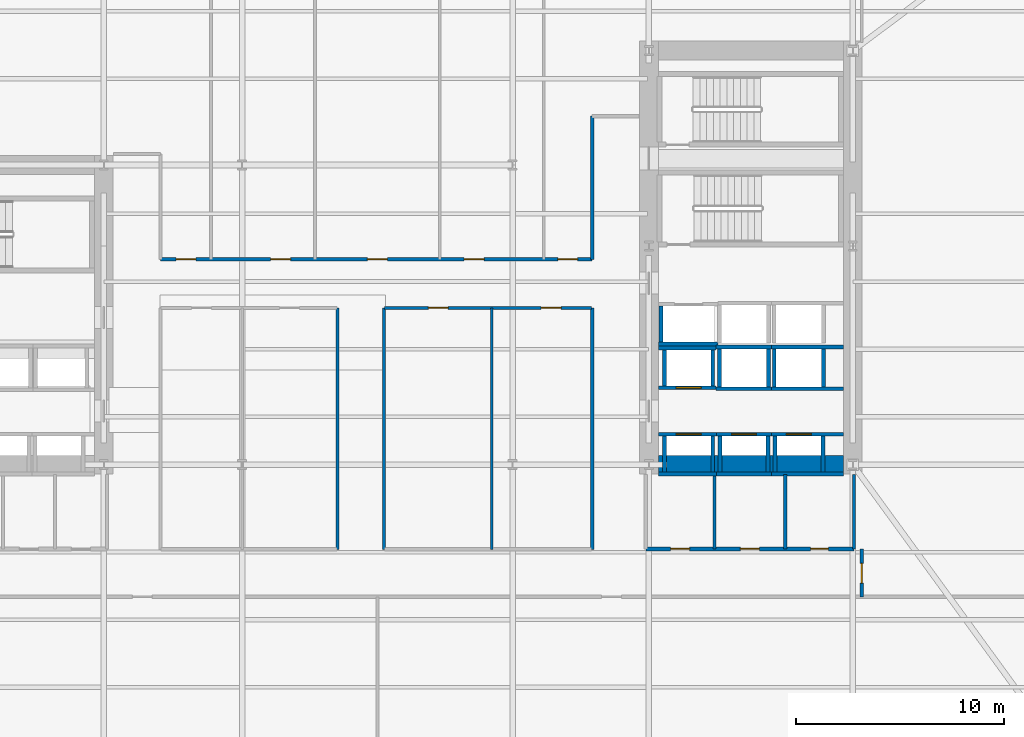
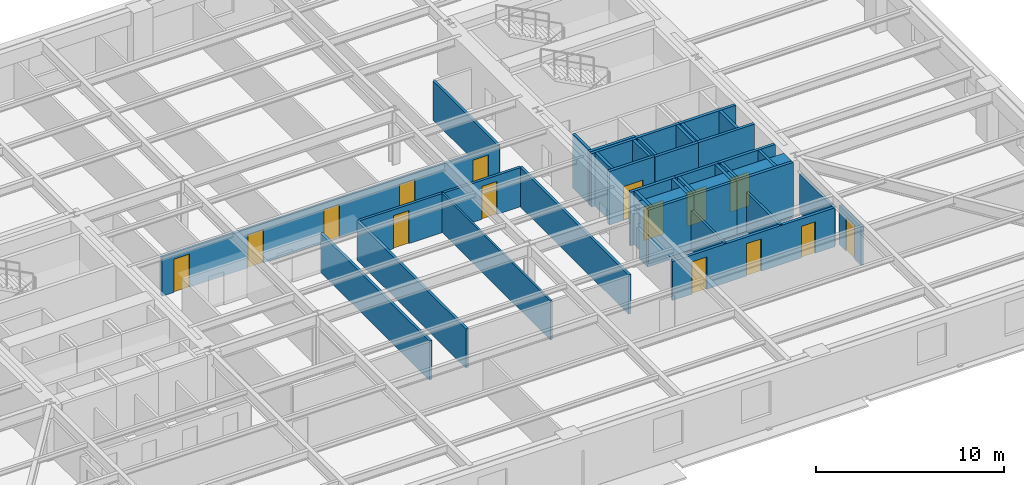
# One storey, part 6 of 14: 39 walls, 15 doors, 15 openings.
"""IFC4 building model written with IfcOpenShell, lengths in metres."""

from ifc_helpers import new_model, si_unit, direction, frame, frame_2d, origin, place, context, subcontext, project, spatial, rectangle, extrude, material, layer, layer_set, type_object, element, fill, save


model = new_model("IFC4")

# Units and contexts
model_context = context("Model", 3, precision=1e-05, world=origin(), true_north=direction((0.0, 1.0)))
body_context = subcontext(model_context, "Body", "Model", "MODEL_VIEW")
ifc_project = project(units=[si_unit("LENGTHUNIT", "METRE"), si_unit("AREAUNIT", "SQUARE_METRE"), si_unit("VOLUMEUNIT", "CUBIC_METRE"), si_unit("PLANEANGLEUNIT", "RADIAN"), si_unit("MASSUNIT", "GRAM", prefix="KILO")], contexts=[model_context])

# Site, building, storey
site_placement = place(None, origin())
site = spatial("IfcSite", under=ifc_project, at=site_placement, CompositionType="ELEMENT")
building_placement = place(site_placement, origin())
building = spatial("IfcBuilding", under=site, at=building_placement, Name="Kolvaren Arena Tower", CompositionType="ELEMENT")
storey_placement = place(building_placement, frame((0.0, 0.0, 87.0)))
storey = spatial("IfcBuildingStorey", under=building, at=storey_placement, Name="L19", CompositionType="ELEMENT", Elevation=87.0)

# Wall, openings, doors
ifc_material_1 = material(Name="Gypsum board acoustic assembly", Category="gypsum")
ifc_layer_1 = layer(ifc_material_1, 0.159912109375)
ifc_layer_set_1 = layer_set([ifc_layer_1], Name="Gypsum board acoustic assembly")
wall_type_1 = type_object("IfcWallType", Name="CORR-160", PredefinedType="PARTITIONING", material=ifc_layer_set_1)
wall_1_placement = place(storey_placement, frame((27.080078125, 29.320068359375, 0.0), z_axis=(0.0, 0.0, 1.0), x_axis=(1.0, 0.0, 0.0)))
wall_1 = element("IfcWall", 1, at=wall_1_placement, inside=storey, type_object=wall_type_1, Name="Interior Partition Wall (L19)", PredefinedType="PARTITIONING", context=body_context, shape_type="SweptSolid", body=[
    extrude(rectangle(XDim=20.739990234375, YDim=0.159912109375, at=frame_2d((10.3701171875, 0.0))), origin(), (0.0, 0.0, 1.0), 2.5400390625),
])
opening_1_placement = place(wall_1_placement, frame((0.7451171875, 0.0, 0.0)))
opening_1 = element("IfcOpeningElement", 2, at=opening_1_placement, cuts=wall_1, Name="Opening D05", PredefinedType="OPENING", context=body_context, shape_type="SweptSolid", body=[
    extrude(rectangle(XDim=0.949951171875, YDim=2.14990234375, at=frame_2d((0.47509765625, 1.074951171875))), frame((0.0, 0.08984375, 0.0), z_axis=(0.0, -1.0, 0.0), x_axis=(1.0, 0.0, 0.0)), (0.0, 0.0, 1.0), 0.179931640625),
])
opening_2_placement = place(wall_1_placement, frame((5.294921875, 0.0, 0.0)))
opening_2 = element("IfcOpeningElement", 3, at=opening_2_placement, cuts=wall_1, Name="Opening D05", PredefinedType="OPENING", context=body_context, shape_type="SweptSolid", body=[
    extrude(rectangle(XDim=0.949951171875, YDim=2.14990234375, at=frame_2d((0.47509765625, 1.074951171875))), frame((0.0, 0.08984375, 0.0), z_axis=(0.0, -1.0, 0.0), x_axis=(1.0, 0.0, 0.0)), (0.0, 0.0, 1.0), 0.179931640625),
])
opening_3_placement = place(wall_1_placement, frame((9.945068359375, 0.0, 0.0)))
opening_3 = element("IfcOpeningElement", 4, at=opening_3_placement, cuts=wall_1, Name="Opening D05", PredefinedType="OPENING", context=body_context, shape_type="SweptSolid", body=[
    extrude(rectangle(XDim=0.949951171875, YDim=2.14990234375, at=frame_2d((0.47509765625, 1.074951171875))), frame((0.0, 0.08984375, 0.0), z_axis=(0.0, -1.0, 0.0), x_axis=(1.0, 0.0, 0.0)), (0.0, 0.0, 1.0), 0.179931640625),
])
opening_4_placement = place(wall_1_placement, frame((14.594970703125, 0.0, 0.0)))
opening_4 = element("IfcOpeningElement", 5, at=opening_4_placement, cuts=wall_1, Name="Opening D05", PredefinedType="OPENING", context=body_context, shape_type="SweptSolid", body=[
    extrude(rectangle(XDim=0.949951171875, YDim=2.14990234375, at=frame_2d((0.47509765625, 1.074951171875))), frame((0.0, 0.08984375, 0.0), z_axis=(0.0, -1.0, 0.0), x_axis=(1.0, 0.0, 0.0)), (0.0, 0.0, 1.0), 0.179931640625),
])
opening_5_placement = place(wall_1_placement, frame((19.094970703125, 0.0, 0.0)))
opening_5 = element("IfcOpeningElement", 6, at=opening_5_placement, cuts=wall_1, Name="Opening D05", PredefinedType="OPENING", context=body_context, shape_type="SweptSolid", body=[
    extrude(rectangle(XDim=0.949951171875, YDim=2.14990234375, at=frame_2d((0.47509765625, 1.074951171875))), frame((0.0, 0.08984375, 0.0), z_axis=(0.0, -1.0, 0.0), x_axis=(1.0, 0.0, 0.0)), (0.0, 0.0, 1.0), 0.179931640625),
])
ifc_material_2 = material(Name="Solid-core oak acoustic office door", Category="wood")
door_type_1 = type_object("IfcDoorType", Name="DOOR-OF-095", OperationType="NOTDEFINED", PredefinedType="DOOR", material=ifc_material_2)
door_1_placement = place(opening_1_placement, origin())
door_1 = element("IfcDoor", 7, at=door_1_placement, inside=storey, type_object=door_type_1, Name="Design Studio Door (L19)", OperationType="SINGLE_SWING_LEFT", OverallHeight=2.14990234375, OverallWidth=0.949951171875, PredefinedType="DOOR", context=body_context, shape_type="SweptSolid", body=[
    extrude(rectangle(XDim=0.949951171875, YDim=2.14990234375, at=frame_2d((0.47509765625, 1.074951171875))), frame((0.0, 0.02490234375, 0.0), z_axis=(0.0, -1.0, 0.0), x_axis=(1.0, 0.0, 0.0)), (0.0, 0.0, 1.0), 0.050048828125),
])
fill(opening_1, door_1)
door_2_placement = place(opening_2_placement, origin())
door_2 = element("IfcDoor", 8, at=door_2_placement, inside=storey, type_object=door_type_1, Name="Boardroom Door (L19)", OperationType="SINGLE_SWING_RIGHT", OverallHeight=2.14990234375, OverallWidth=0.949951171875, PredefinedType="DOOR", context=body_context, shape_type="SweptSolid", body=[
    extrude(rectangle(XDim=0.949951171875, YDim=2.14990234375, at=frame_2d((0.47509765625, 1.074951171875))), frame((0.0, 0.02490234375, 0.0), z_axis=(0.0, -1.0, 0.0), x_axis=(1.0, 0.0, 0.0)), (0.0, 0.0, 1.0), 0.050048828125),
])
fill(opening_2, door_2)
door_3_placement = place(opening_3_placement, origin())
door_3 = element("IfcDoor", 9, at=door_3_placement, inside=storey, type_object=door_type_1, Name="Breakout Pantry and Kitchen Door (L19)", OperationType="SINGLE_SWING_LEFT", OverallHeight=2.14990234375, OverallWidth=0.949951171875, PredefinedType="DOOR", context=body_context, shape_type="SweptSolid", body=[
    extrude(rectangle(XDim=0.949951171875, YDim=2.14990234375, at=frame_2d((0.47509765625, 1.074951171875))), frame((0.0, 0.02490234375, 0.0), z_axis=(0.0, -1.0, 0.0), x_axis=(1.0, 0.0, 0.0)), (0.0, 0.0, 1.0), 0.050048828125),
])
fill(opening_3, door_3)
door_4_placement = place(opening_4_placement, origin())
door_4 = element("IfcDoor", 10, at=door_4_placement, inside=storey, type_object=door_type_1, Name="Tenant Reception Area Door (L19)", OperationType="SINGLE_SWING_RIGHT", OverallHeight=2.14990234375, OverallWidth=0.949951171875, PredefinedType="DOOR", context=body_context, shape_type="SweptSolid", body=[
    extrude(rectangle(XDim=0.949951171875, YDim=2.14990234375, at=frame_2d((0.47509765625, 1.074951171875))), frame((0.0, 0.02490234375, 0.0), z_axis=(0.0, -1.0, 0.0), x_axis=(1.0, 0.0, 0.0)), (0.0, 0.0, 1.0), 0.050048828125),
])
fill(opening_4, door_4)
door_5_placement = place(opening_5_placement, origin())
door_5 = element("IfcDoor", 11, at=door_5_placement, inside=storey, type_object=door_type_1, Name="Design Studio Door (L19)", OperationType="SINGLE_SWING_LEFT", OverallHeight=2.14990234375, OverallWidth=0.949951171875, PredefinedType="DOOR", context=body_context, shape_type="SweptSolid", body=[
    extrude(rectangle(XDim=0.949951171875, YDim=2.14990234375, at=frame_2d((0.47509765625, 1.074951171875))), frame((0.0, 0.02490234375, 0.0), z_axis=(0.0, -1.0, 0.0), x_axis=(1.0, 0.0, 0.0)), (0.0, 0.0, 1.0), 0.050048828125),
])
fill(opening_5, door_5)

wall_2_placement = place(storey_placement, frame((37.840087890625, 26.97998046875, 0.0), z_axis=(0.0, 0.0, 1.0), x_axis=(1.0, 0.0, 0.0)))
wall_2 = element("IfcWall", 12, at=wall_2_placement, inside=storey, type_object=wall_type_1, Name="Interior Partition Wall (L19)", PredefinedType="PARTITIONING", context=body_context, shape_type="SweptSolid", body=[
    extrude(rectangle(XDim=9.9599609375, YDim=0.159912109375, at=frame_2d((4.97998046875, 0.0))), origin(), (0.0, 0.0, 1.0), 2.5400390625),
])
opening_6_placement = place(wall_2_placement, frame((2.10498046875, 0.0, 0.0)))
opening_6 = element("IfcOpeningElement", 13, at=opening_6_placement, cuts=wall_2, Name="Opening D05", PredefinedType="OPENING", context=body_context, shape_type="SweptSolid", body=[
    extrude(rectangle(XDim=0.949951171875, YDim=2.14990234375, at=frame_2d((0.47509765625, 1.074951171875))), frame((0.0, 0.08984375, 0.0), z_axis=(0.0, -1.0, 0.0), x_axis=(1.0, 0.0, 0.0)), (0.0, 0.0, 1.0), 0.179931640625),
])
opening_7_placement = place(wall_2_placement, frame((7.534912109375, 0.0, 0.0)))
opening_7 = element("IfcOpeningElement", 14, at=opening_7_placement, cuts=wall_2, Name="Opening D05", PredefinedType="OPENING", context=body_context, shape_type="SweptSolid", body=[
    extrude(rectangle(XDim=0.949951171875, YDim=2.14990234375, at=frame_2d((0.47509765625, 1.074951171875))), frame((0.0, 0.08984375, 0.0), z_axis=(0.0, -1.0, 0.0), x_axis=(1.0, 0.0, 0.0)), (0.0, 0.0, 1.0), 0.179931640625),
])
door_6_placement = place(opening_6_placement, origin())
door_6 = element("IfcDoor", 15, at=door_6_placement, inside=storey, type_object=door_type_1, Name="Boardroom Door (L19)", OperationType="SINGLE_SWING_RIGHT", OverallHeight=2.14990234375, OverallWidth=0.949951171875, PredefinedType="DOOR", context=body_context, shape_type="SweptSolid", body=[
    extrude(rectangle(XDim=0.949951171875, YDim=2.14990234375, at=frame_2d((0.47509765625, 1.074951171875))), frame((0.0, 0.02490234375, 0.0), z_axis=(0.0, -1.0, 0.0), x_axis=(1.0, 0.0, 0.0)), (0.0, 0.0, 1.0), 0.050048828125),
])
fill(opening_6, door_6)
door_7_placement = place(opening_7_placement, origin())
door_7 = element("IfcDoor", 16, at=door_7_placement, inside=storey, type_object=door_type_1, Name="Breakout Pantry and Kitchen Door (L19)", OperationType="SINGLE_SWING_LEFT", OverallHeight=2.14990234375, OverallWidth=0.949951171875, PredefinedType="DOOR", context=body_context, shape_type="SweptSolid", body=[
    extrude(rectangle(XDim=0.949951171875, YDim=2.14990234375, at=frame_2d((0.47509765625, 1.074951171875))), frame((0.0, 0.02490234375, 0.0), z_axis=(0.0, -1.0, 0.0), x_axis=(1.0, 0.0, 0.0)), (0.0, 0.0, 1.0), 0.050048828125),
])
fill(opening_7, door_7)

# Walls
for number, where, z_axis, x_axis, name in (
    (17, (35.580078125, 15.3798828125, 0.0), (0.0, 0.0, 1.0), (0.0, 1.0, 0.0), "Interior Partition Wall (L19)"),
    (18, (37.820068359375, 15.3798828125, 0.0), (0.0, 0.0, 1.0), (0.0, 1.0, 0.0), "Interior Partition Wall (L19)"),
    (19, (47.820068359375, 15.3798828125, 0.0), (0.0, 0.0, 1.0), (0.0, 1.0, 0.0), "Interior Partition Wall (L19)"),
):
    element("IfcWall", number, at=place(storey_placement, frame(where, z_axis=z_axis, x_axis=x_axis)), inside=storey, type_object=wall_type_1, Name=name, PredefinedType="PARTITIONING", context=body_context, shape_type="SweptSolid", body=[
        extrude(rectangle(XDim=11.60009765625, YDim=0.159912109375, at=frame_2d((5.800048828125, 0.0))), origin(), (0.0, 0.0, 1.0), 2.5400390625),
    ])
wall_3_placement = place(storey_placement, frame((47.820068359375, 29.320068359375, 0.0), z_axis=(0.0, 0.0, 1.0), x_axis=(0.0, 1.0, 0.0)))
element("IfcWall", 20, at=wall_3_placement, inside=storey, type_object=wall_type_1, Name="Interior Partition Wall (L19)", PredefinedType="PARTITIONING", context=body_context, shape_type="SweptSolid", body=[
    extrude(rectangle(XDim=6.8798828125, YDim=0.159912109375, at=frame_2d((3.43994140625, 0.0))), origin(), (0.0, 0.0, 1.0), 2.5400390625),
])

# Wall, opening, door
wall_4_placement = place(storey_placement, frame((60.780029296875, 13.10009765625, 0.0), z_axis=(0.0, 0.0, 1.0), x_axis=(0.0, 1.0, 0.0)))
wall_4 = element("IfcWall", 21, at=wall_4_placement, inside=storey, type_object=wall_type_1, Name="Interior Partition Wall (L19)", PredefinedType="PARTITIONING", context=body_context, shape_type="SweptSolid", body=[
    extrude(rectangle(XDim=2.2998046875, YDim=0.159912109375, at=frame_2d((1.14990234375, 0.0))), origin(), (0.0, 0.0, 1.0), 2.5400390625),
])
opening_8_placement = place(wall_4_placement, frame((0.64990234375, 0.0, 0.0)))
opening_8 = element("IfcOpeningElement", 22, at=opening_8_placement, cuts=wall_4, Name="Opening D05", PredefinedType="OPENING", context=body_context, shape_type="SweptSolid", body=[
    extrude(rectangle(XDim=0.949951171875, YDim=2.14990234375, at=frame_2d((0.47509765625, 1.074951171875))), frame((0.0, 0.08984375, 0.0), z_axis=(0.0, -1.0, 0.0), x_axis=(1.0, 0.0, 0.0)), (0.0, 0.0, 1.0), 0.179931640625),
])
door_8_placement = place(opening_8_placement, origin())
door_8 = element("IfcDoor", 23, at=door_8_placement, inside=storey, type_object=door_type_1, Name="East Wing Studio Door (L19)", OperationType="SINGLE_SWING_RIGHT", OverallHeight=2.14990234375, OverallWidth=0.949951171875, PredefinedType="DOOR", context=body_context, shape_type="SweptSolid", body=[
    extrude(rectangle(XDim=0.949951171875, YDim=2.14990234375, at=frame_2d((0.47509765625, 1.074951171875))), frame((0.0, 0.02490234375, 0.0), z_axis=(0.0, -1.0, 0.0), x_axis=(1.0, 0.0, 0.0)), (0.0, 0.0, 1.0), 0.050048828125),
])
fill(opening_8, door_8)

# Walls
ifc_material_3 = material(Name="Concrete 80 MPa", Category="concrete")
ifc_layer_2 = layer(ifc_material_3, 0.89990234375)
ifc_layer_set_2 = layer_set([ifc_layer_2], Name="Concrete 80 MPa")
wall_type_2 = type_object("IfcWallType", Name="CWALL-900", PredefinedType="SHEAR", material=ifc_layer_set_2)
wall_5_placement = place(storey_placement, frame((51.0, 19.449951171875, -0.27001953125), z_axis=(0.0, 0.0, 1.0), x_axis=(1.0, 0.0, 0.0)))
element("IfcWall", 24, at=wall_5_placement, inside=storey, type_object=wall_type_2, Name="Core Shear Wall EC-SOUTH (L19)", PredefinedType="SHEAR", context=body_context, shape_type="SweptSolid", body=[
    extrude(rectangle(XDim=8.89990234375, YDim=0.89990234375, at=frame_2d((4.449951171875, 0.0))), origin(), (0.0, 0.0, 1.0), 3.75),
])
ifc_material_4 = material(Name="Gypsum board partition assembly", Category="gypsum")
ifc_layer_3 = layer(ifc_material_4, 0.114990234375)
ifc_layer_set_3 = layer_set([ifc_layer_3], Name="Gypsum board partition assembly")
wall_type_3 = type_object("IfcWallType", Name="PART-115", PredefinedType="PARTITIONING", material=ifc_layer_set_3)
wall_6_placement = place(storey_placement, frame((43.0, 15.3798828125, 0.0), z_axis=(0.0, 0.0, 1.0), x_axis=(0.0, 1.0, 0.0)))
element("IfcWall", 25, at=wall_6_placement, inside=storey, type_object=wall_type_3, Name="Interior Partition Wall (L19)", PredefinedType="PARTITIONING", context=body_context, shape_type="SweptSolid", body=[
    extrude(rectangle(XDim=11.60009765625, YDim=0.114990234375, at=frame_2d((5.800048828125, 0.0))), origin(), (0.0, 0.0, 1.0), 2.5400390625),
])

# Wall, opening, door
ifc_material_5 = material(Name="Concrete 45 MPa", Category="concrete")
ifc_layer_4 = layer(ifc_material_5, 0.25)
ifc_layer_set_4 = layer_set([ifc_layer_4], Name="Concrete 45 MPa")
wall_type_4 = type_object("IfcWallType", Name="SHAFT-250", PredefinedType="SOLIDWALL", material=ifc_layer_set_4)
wall_7_placement = place(storey_placement, frame((51.0, 20.905029296875, 0.0), z_axis=(0.0, 0.0, 1.0), x_axis=(1.0, 0.0, 0.0)))
wall_7 = element("IfcWall", 26, at=wall_7_placement, inside=storey, type_object=wall_type_4, Name="Core Shaft Wall (L19)", PredefinedType="SOLIDWALL", context=body_context, shape_type="SweptSolid", body=[
    extrude(rectangle(XDim=2.7900390625, YDim=0.179931640625, at=frame_2d((1.39501953125, 0.0))), origin(), (0.0, 0.0, 1.0), 3.47998046875),
])
opening_9_placement = place(wall_7_placement, frame((0.860107421875, 0.0, 0.0)))
opening_9 = element("IfcOpeningElement", 27, at=opening_9_placement, cuts=wall_7, Name="Opening LD1", PredefinedType="OPENING", context=body_context, shape_type="SweptSolid", body=[
    extrude(rectangle(XDim=1.199951171875, YDim=2.199951171875, at=frame_2d((0.60009765625, 1.10009765625))), frame((0.0, 0.099853515625, 0.0), z_axis=(0.0, -1.0, 0.0), x_axis=(1.0, 0.0, 0.0)), (0.0, 0.0, 1.0), 0.199951171875),
])
ifc_material_6 = material(Name="Stainless steel passenger lift landing door", Category="steel")
door_type_2 = type_object("IfcDoorType", Name="DOOR-LD-120", OperationType="DOUBLE_DOOR_SLIDING", PredefinedType="DOOR", material=ifc_material_6)
door_9_placement = place(opening_9_placement, origin())
door_9 = element("IfcDoor", 28, at=door_9_placement, inside=storey, type_object=door_type_2, Name="Lift EL-LR1 Landing Door (L19)", OperationType="DOUBLE_DOOR_SLIDING", OverallHeight=2.199951171875, OverallWidth=1.199951171875, PredefinedType="DOOR", context=body_context, shape_type="SweptSolid", body=[
    extrude(rectangle(XDim=1.199951171875, YDim=2.199951171875, at=frame_2d((0.60009765625, 1.10009765625))), frame((0.0, 0.02490234375, 0.0), z_axis=(0.0, -1.0, 0.0), x_axis=(1.0, 0.0, 0.0)), (0.0, 0.0, 1.0), 0.050048828125),
])
fill(opening_9, door_9)

# Walls
wall_8_placement = place(storey_placement, frame((51.0, 18.9951171875, 0.0), z_axis=(0.0, 0.0, 1.0), x_axis=(1.0, 0.0, 0.0)))
element("IfcWall", 29, at=wall_8_placement, inside=storey, type_object=wall_type_4, Name="Core Shaft Wall (L19)", PredefinedType="SOLIDWALL", context=body_context, shape_type="SweptSolid", body=[
    extrude(rectangle(XDim=2.7900390625, YDim=0.179931640625, at=frame_2d((1.39501953125, 0.0))), origin(), (0.0, 0.0, 1.0), 3.47998046875),
])
for number, where, z_axis, x_axis, name in (
    (30, (51.304931640625, 19.0849609375, 0.0), (0.0, 0.0, 1.0), (0.0, 1.0, 0.0), "Core Shaft Wall (L19)"),
    (31, (53.614990234375, 19.0849609375, 0.0), (0.0, 0.0, 1.0), (0.0, 1.0, 0.0), "Core Shaft Wall (L19)"),
):
    element("IfcWall", number, at=place(storey_placement, frame(where, z_axis=z_axis, x_axis=x_axis)), inside=storey, type_object=wall_type_4, Name=name, PredefinedType="SOLIDWALL", context=body_context, shape_type="SweptSolid", body=[
        extrude(rectangle(XDim=1.72998046875, YDim=0.179931640625, at=frame_2d((0.864990234375, 0.0))), origin(), (0.0, 0.0, 1.0), 3.47998046875),
    ])

# Wall, opening, door
wall_9_placement = place(storey_placement, frame((53.7900390625, 20.905029296875, 0.0), z_axis=(0.0, 0.0, 1.0), x_axis=(1.0, 0.0, 0.0)))
wall_9 = element("IfcWall", 32, at=wall_9_placement, inside=storey, type_object=wall_type_4, Name="Core Shaft Wall (L19)", PredefinedType="SOLIDWALL", context=body_context, shape_type="SweptSolid", body=[
    extrude(rectangle(XDim=2.64990234375, YDim=0.179931640625, at=frame_2d((1.324951171875, 0.0))), origin(), (0.0, 0.0, 1.0), 3.47998046875),
])
opening_10_placement = place(wall_9_placement, frame((0.72998046875, 0.0, 0.0)))
opening_10 = element("IfcOpeningElement", 33, at=opening_10_placement, cuts=wall_9, Name="Opening LD1", PredefinedType="OPENING", context=body_context, shape_type="SweptSolid", body=[
    extrude(rectangle(XDim=1.199951171875, YDim=2.199951171875, at=frame_2d((0.60009765625, 1.10009765625))), frame((0.0, 0.099853515625, 0.0), z_axis=(0.0, -1.0, 0.0), x_axis=(1.0, 0.0, 0.0)), (0.0, 0.0, 1.0), 0.199951171875),
])
door_10_placement = place(opening_10_placement, origin())
door_10 = element("IfcDoor", 34, at=door_10_placement, inside=storey, type_object=door_type_2, Name="Lift EL-LR2 Landing Door (L19)", OperationType="DOUBLE_DOOR_SLIDING", OverallHeight=2.199951171875, OverallWidth=1.199951171875, PredefinedType="DOOR", context=body_context, shape_type="SweptSolid", body=[
    extrude(rectangle(XDim=1.199951171875, YDim=2.199951171875, at=frame_2d((0.60009765625, 1.10009765625))), frame((0.0, 0.02490234375, 0.0), z_axis=(0.0, -1.0, 0.0), x_axis=(1.0, 0.0, 0.0)), (0.0, 0.0, 1.0), 0.050048828125),
])
fill(opening_10, door_10)

# Walls
wall_10_placement = place(storey_placement, frame((53.7900390625, 18.9951171875, 0.0), z_axis=(0.0, 0.0, 1.0), x_axis=(1.0, 0.0, 0.0)))
element("IfcWall", 35, at=wall_10_placement, inside=storey, type_object=wall_type_4, Name="Core Shaft Wall (L19)", PredefinedType="SOLIDWALL", context=body_context, shape_type="SweptSolid", body=[
    extrude(rectangle(XDim=2.64990234375, YDim=0.179931640625, at=frame_2d((1.324951171875, 0.0))), origin(), (0.0, 0.0, 1.0), 3.47998046875),
])
for number, where, z_axis, x_axis, name in (
    (36, (53.965087890625, 19.0849609375, 0.0), (0.0, 0.0, 1.0), (0.0, 1.0, 0.0), "Core Shaft Wall (L19)"),
    (37, (56.27490234375, 19.0849609375, 0.0), (0.0, 0.0, 1.0), (0.0, 1.0, 0.0), "Core Shaft Wall (L19)"),
):
    element("IfcWall", number, at=place(storey_placement, frame(where, z_axis=z_axis, x_axis=x_axis)), inside=storey, type_object=wall_type_4, Name=name, PredefinedType="SOLIDWALL", context=body_context, shape_type="SweptSolid", body=[
        extrude(rectangle(XDim=1.72998046875, YDim=0.179931640625, at=frame_2d((0.864990234375, 0.0))), origin(), (0.0, 0.0, 1.0), 3.47998046875),
    ])

# Wall, opening, door
wall_11_placement = place(storey_placement, frame((56.43994140625, 20.905029296875, 0.0), z_axis=(0.0, 0.0, 1.0), x_axis=(1.0, 0.0, 0.0)))
wall_11 = element("IfcWall", 38, at=wall_11_placement, inside=storey, type_object=wall_type_4, Name="Core Shaft Wall (L19)", PredefinedType="SOLIDWALL", context=body_context, shape_type="SweptSolid", body=[
    extrude(rectangle(XDim=3.4599609375, YDim=0.179931640625, at=frame_2d((1.72998046875, 0.0))), origin(), (0.0, 0.0, 1.0), 3.47998046875),
])
opening_11_placement = place(wall_11_placement, frame((0.719970703125, 0.0, 0.0)))
opening_11 = element("IfcOpeningElement", 39, at=opening_11_placement, cuts=wall_11, Name="Opening LD1", PredefinedType="OPENING", context=body_context, shape_type="SweptSolid", body=[
    extrude(rectangle(XDim=1.199951171875, YDim=2.199951171875, at=frame_2d((0.60009765625, 1.10009765625))), frame((0.0, 0.099853515625, 0.0), z_axis=(0.0, -1.0, 0.0), x_axis=(1.0, 0.0, 0.0)), (0.0, 0.0, 1.0), 0.199951171875),
])
door_11_placement = place(opening_11_placement, origin())
door_11 = element("IfcDoor", 40, at=door_11_placement, inside=storey, type_object=door_type_2, Name="Lift EL-LR3 Landing Door (L19)", OperationType="DOUBLE_DOOR_SLIDING", OverallHeight=2.199951171875, OverallWidth=1.199951171875, PredefinedType="DOOR", context=body_context, shape_type="SweptSolid", body=[
    extrude(rectangle(XDim=1.199951171875, YDim=2.199951171875, at=frame_2d((0.60009765625, 1.10009765625))), frame((0.0, 0.02490234375, 0.0), z_axis=(0.0, -1.0, 0.0), x_axis=(1.0, 0.0, 0.0)), (0.0, 0.0, 1.0), 0.050048828125),
])
fill(opening_11, door_11)

# Walls
wall_12_placement = place(storey_placement, frame((56.43994140625, 18.9951171875, 0.0), z_axis=(0.0, 0.0, 1.0), x_axis=(1.0, 0.0, 0.0)))
element("IfcWall", 41, at=wall_12_placement, inside=storey, type_object=wall_type_4, Name="Core Shaft Wall (L19)", PredefinedType="SOLIDWALL", context=body_context, shape_type="SweptSolid", body=[
    extrude(rectangle(XDim=3.4599609375, YDim=0.179931640625, at=frame_2d((1.72998046875, 0.0))), origin(), (0.0, 0.0, 1.0), 3.47998046875),
])
for number, where, z_axis, x_axis, name in (
    (42, (56.60498046875, 19.0849609375, 0.0), (0.0, 0.0, 1.0), (0.0, 1.0, 0.0), "Core Shaft Wall (L19)"),
    (43, (58.9150390625, 19.0849609375, 0.0), (0.0, 0.0, 1.0), (0.0, 1.0, 0.0), "Core Shaft Wall (L19)"),
):
    element("IfcWall", number, at=place(storey_placement, frame(where, z_axis=z_axis, x_axis=x_axis)), inside=storey, type_object=wall_type_4, Name=name, PredefinedType="SOLIDWALL", context=body_context, shape_type="SweptSolid", body=[
        extrude(rectangle(XDim=1.72998046875, YDim=0.179931640625, at=frame_2d((0.864990234375, 0.0))), origin(), (0.0, 0.0, 1.0), 3.47998046875),
    ])
wall_13_placement = place(storey_placement, frame((51.0, 25.054931640625, 0.0), z_axis=(0.0, 0.0, 1.0), x_axis=(1.0, 0.0, 0.0)))
element("IfcWall", 44, at=wall_13_placement, inside=storey, type_object=wall_type_4, Name="Core Shaft Wall (L19)", PredefinedType="SOLIDWALL", context=body_context, shape_type="SweptSolid", body=[
    extrude(rectangle(XDim=2.777587890625, YDim=0.179931640625, at=frame_2d((1.388671875, 0.0))), origin(), (0.0, 0.0, 1.0), 3.47998046875),
])

# Wall, opening, door
wall_14_placement = place(storey_placement, frame((51.0, 23.14501953125, 0.0), z_axis=(0.0, 0.0, 1.0), x_axis=(1.0, 0.0, 0.0)))
wall_14 = element("IfcWall", 45, at=wall_14_placement, inside=storey, type_object=wall_type_4, Name="Core Shaft Wall (L19)", PredefinedType="SOLIDWALL", context=body_context, shape_type="SweptSolid", body=[
    extrude(rectangle(XDim=2.777587890625, YDim=0.179931640625, at=frame_2d((1.388671875, 0.0))), origin(), (0.0, 0.0, 1.0), 3.47998046875),
])
opening_12_placement = place(wall_14_placement, frame((0.860107421875, 0.0, 0.0)))
opening_12 = element("IfcOpeningElement", 46, at=opening_12_placement, cuts=wall_14, Name="Opening LD1", PredefinedType="OPENING", context=body_context, shape_type="SweptSolid", body=[
    extrude(rectangle(XDim=1.199951171875, YDim=2.199951171875, at=frame_2d((0.60009765625, 1.10009765625))), frame((0.0, 0.099853515625, 0.0), z_axis=(0.0, -1.0, 0.0), x_axis=(1.0, 0.0, 0.0)), (0.0, 0.0, 1.0), 0.199951171875),
])
door_12_placement = place(opening_12_placement, origin())
door_12 = element("IfcDoor", 47, at=door_12_placement, inside=storey, type_object=door_type_2, Name="Lift EL-LR4 Landing Door (L19)", OperationType="DOUBLE_DOOR_SLIDING", OverallHeight=2.199951171875, OverallWidth=1.199951171875, PredefinedType="DOOR", context=body_context, shape_type="SweptSolid", body=[
    extrude(rectangle(XDim=1.199951171875, YDim=2.199951171875, at=frame_2d((0.60009765625, 1.10009765625))), frame((0.0, 0.02490234375, 0.0), z_axis=(0.0, -1.0, 0.0), x_axis=(1.0, 0.0, 0.0)), (0.0, 0.0, 1.0), 0.050048828125),
])
fill(opening_12, door_12)

# Walls
for number, where, z_axis, x_axis, name in (
    (48, (51.304931640625, 23.235107421875, 0.0), (0.0, 0.0, 1.0), (0.0, 1.0, 0.0), "Core Shaft Wall (L19)"),
    (49, (53.614990234375, 23.235107421875, 0.0), (0.0, 0.0, 1.0), (0.0, 1.0, 0.0), "Core Shaft Wall (L19)"),
):
    element("IfcWall", number, at=place(storey_placement, frame(where, z_axis=z_axis, x_axis=x_axis)), inside=storey, type_object=wall_type_4, Name=name, PredefinedType="SOLIDWALL", context=body_context, shape_type="SweptSolid", body=[
        extrude(rectangle(XDim=1.72998046875, YDim=0.179931640625, at=frame_2d((0.864990234375, 0.0))), origin(), (0.0, 0.0, 1.0), 3.47998046875),
    ])
for number, where, z_axis, x_axis, name in (
    (50, (53.777587890625, 25.10498046875, 0.0), (0.0, 0.0, 1.0), (1.0, 0.0, 0.0), "Core Shaft Wall (L19)"),
    (51, (53.777587890625, 23.094970703125, 0.0), (0.0, 0.0, 1.0), (1.0, 0.0, 0.0), "Core Shaft Wall (L19)"),
):
    element("IfcWall", number, at=place(storey_placement, frame(where, z_axis=z_axis, x_axis=x_axis)), inside=storey, type_object=wall_type_4, Name=name, PredefinedType="SOLIDWALL", context=body_context, shape_type="SweptSolid", body=[
        extrude(rectangle(XDim=2.662353515625, YDim=0.179931640625, at=frame_2d((1.3310546875, 0.0))), origin(), (0.0, 0.0, 1.0), 3.47998046875),
    ])
for number, where, z_axis, x_axis, name in (
    (52, (53.93994140625, 23.18505859375, 0.0), (0.0, 0.0, 1.0), (0.0, 1.0, 0.0), "Core Shaft Wall (L19)"),
    (53, (56.300048828125, 23.18505859375, 0.0), (0.0, 0.0, 1.0), (0.0, 1.0, 0.0), "Core Shaft Wall (L19)"),
):
    element("IfcWall", number, at=place(storey_placement, frame(where, z_axis=z_axis, x_axis=x_axis)), inside=storey, type_object=wall_type_4, Name=name, PredefinedType="SOLIDWALL", context=body_context, shape_type="SweptSolid", body=[
        extrude(rectangle(XDim=1.829833984375, YDim=0.179931640625, at=frame_2d((0.9150390625, 0.0))), origin(), (0.0, 0.0, 1.0), 3.47998046875),
    ])
for number, where, z_axis, x_axis, name in (
    (54, (56.43994140625, 25.10498046875, 0.0), (0.0, 0.0, 1.0), (1.0, 0.0, 0.0), "Core Shaft Wall (L19)"),
    (55, (56.43994140625, 23.094970703125, 0.0), (0.0, 0.0, 1.0), (1.0, 0.0, 0.0), "Core Shaft Wall (L19)"),
):
    element("IfcWall", number, at=place(storey_placement, frame(where, z_axis=z_axis, x_axis=x_axis)), inside=storey, type_object=wall_type_4, Name=name, PredefinedType="SOLIDWALL", context=body_context, shape_type="SweptSolid", body=[
        extrude(rectangle(XDim=3.4599609375, YDim=0.179931640625, at=frame_2d((1.72998046875, 0.0))), origin(), (0.0, 0.0, 1.0), 3.47998046875),
    ])
for number, where, z_axis, x_axis, name in (
    (56, (56.580078125, 23.18505859375, 0.0), (0.0, 0.0, 1.0), (0.0, 1.0, 0.0), "Core Shaft Wall (L19)"),
    (57, (58.93994140625, 23.18505859375, 0.0), (0.0, 0.0, 1.0), (0.0, 1.0, 0.0), "Core Shaft Wall (L19)"),
):
    element("IfcWall", number, at=place(storey_placement, frame(where, z_axis=z_axis, x_axis=x_axis)), inside=storey, type_object=wall_type_4, Name=name, PredefinedType="SOLIDWALL", context=body_context, shape_type="SweptSolid", body=[
        extrude(rectangle(XDim=1.829833984375, YDim=0.179931640625, at=frame_2d((0.9150390625, 0.0))), origin(), (0.0, 0.0, 1.0), 3.47998046875),
    ])
wall_15_placement = place(storey_placement, frame((51.0, 25.2451171875, 0.0), z_axis=(0.0, 0.0, 1.0), x_axis=(1.0, 0.0, 0.0)))
element("IfcWall", 58, at=wall_15_placement, inside=storey, type_object=wall_type_4, Name="Core Shaft Wall (L19)", PredefinedType="SOLIDWALL", context=body_context, shape_type="SweptSolid", body=[
    extrude(rectangle(XDim=2.864990234375, YDim=0.179931640625, at=frame_2d((1.4326171875, 0.0))), origin(), (0.0, 0.0, 1.0), 3.47998046875),
])
wall_16_placement = place(storey_placement, frame((51.1298828125, 25.3349609375, 0.0), z_axis=(0.0, 0.0, 1.0), x_axis=(0.0, 1.0, 0.0)))
element("IfcWall", 59, at=wall_16_placement, inside=storey, type_object=wall_type_4, Name="Core Shaft Wall (L19)", PredefinedType="SOLIDWALL", context=body_context, shape_type="SweptSolid", body=[
    extrude(rectangle(XDim=1.72998046875, YDim=0.179931640625, at=frame_2d((0.864990234375, 0.0))), origin(), (0.0, 0.0, 1.0), 3.47998046875),
])

# Wall, openings, doors
wall_17_placement = place(storey_placement, frame((50.39990234375, 15.39990234375, 0.0), z_axis=(0.0, 0.0, 1.0), x_axis=(1.0, 0.0, 0.0)))
wall_17 = element("IfcWall", 60, at=wall_17_placement, inside=storey, type_object=wall_type_4, Name="Interior Partition Wall (L19)", PredefinedType="SOLIDWALL", context=body_context, shape_type="SweptSolid", body=[
    extrude(rectangle(XDim=10.0, YDim=0.179931640625, at=frame_2d((5.0, 0.0))), origin(), (0.0, 0.0, 1.0), 2.5400390625),
])
opening_13_placement = place(wall_17_placement, frame((1.18994140625, 0.0, 0.0)))
opening_13 = element("IfcOpeningElement", 61, at=opening_13_placement, cuts=wall_17, Name="Opening D07", PredefinedType="OPENING", context=body_context, shape_type="SweptSolid", body=[
    extrude(rectangle(XDim=0.919921875, YDim=2.10009765625, at=frame_2d((0.4599609375, 1.050048828125))), frame((0.0, 0.099853515625, 0.0), z_axis=(0.0, -1.0, 0.0), x_axis=(1.0, 0.0, 0.0)), (0.0, 0.0, 1.0), 0.199951171875),
])
opening_14_placement = place(wall_17_placement, frame((4.5400390625, 0.0, 0.0)))
opening_14 = element("IfcOpeningElement", 62, at=opening_14_placement, cuts=wall_17, Name="Opening D07", PredefinedType="OPENING", context=body_context, shape_type="SweptSolid", body=[
    extrude(rectangle(XDim=0.919921875, YDim=2.10009765625, at=frame_2d((0.4599609375, 1.050048828125))), frame((0.0, 0.099853515625, 0.0), z_axis=(0.0, -1.0, 0.0), x_axis=(1.0, 0.0, 0.0)), (0.0, 0.0, 1.0), 0.199951171875),
])
opening_15_placement = place(wall_17_placement, frame((7.919921875, 0.0, 0.0)))
opening_15 = element("IfcOpeningElement", 63, at=opening_15_placement, cuts=wall_17, Name="Opening D09", PredefinedType="OPENING", context=body_context, shape_type="SweptSolid", body=[
    extrude(rectangle(XDim=0.860107421875, YDim=2.050048828125, at=frame_2d((0.43017578125, 1.02490234375))), frame((0.0, 0.099853515625, 0.0), z_axis=(0.0, -1.0, 0.0), x_axis=(1.0, 0.0, 0.0)), (0.0, 0.0, 1.0), 0.199951171875),
])
ifc_material_7 = material(Name="Fire-rated steel riser access door", Category="steel")
door_type_3 = type_object("IfcDoorType", Name="DOOR-RS-086", OperationType="NOTDEFINED", PredefinedType="DOOR", material=ifc_material_7)
door_13_placement = place(opening_15_placement, origin())
door_13 = element("IfcDoor", 64, at=door_13_placement, inside=storey, type_object=door_type_3, Name="Mechanical Riser Closet Door (L19)", OperationType="SINGLE_SWING_LEFT", OverallHeight=2.050048828125, OverallWidth=0.860107421875, PredefinedType="DOOR", context=body_context, shape_type="SweptSolid", body=[
    extrude(rectangle(XDim=0.860107421875, YDim=2.050048828125, at=frame_2d((0.43017578125, 1.02490234375))), frame((0.0, 0.02490234375, 0.0), z_axis=(0.0, -1.0, 0.0), x_axis=(1.0, 0.0, 0.0)), (0.0, 0.0, 1.0), 0.050048828125),
])
fill(opening_15, door_13)
ifc_material_8 = material(Name="Laminate universal washroom door", Category="wood")
door_type_4 = type_object("IfcDoorType", Name="DOOR-WC-092", OperationType="NOTDEFINED", PredefinedType="DOOR", material=ifc_material_8)
door_14_placement = place(opening_13_placement, origin())
door_14 = element("IfcDoor", 65, at=door_14_placement, inside=storey, type_object=door_type_4, Name="Staff Pantry Door (L19)", OperationType="SINGLE_SWING_LEFT", OverallHeight=2.10009765625, OverallWidth=0.919921875, PredefinedType="DOOR", context=body_context, shape_type="SweptSolid", body=[
    extrude(rectangle(XDim=0.919921875, YDim=2.10009765625, at=frame_2d((0.4599609375, 1.050048828125))), frame((0.0, 0.02490234375, 0.0), z_axis=(0.0, -1.0, 0.0), x_axis=(1.0, 0.0, 0.0)), (0.0, 0.0, 1.0), 0.050048828125),
])
fill(opening_13, door_14)
door_15_placement = place(opening_14_placement, origin())
door_15 = element("IfcDoor", 66, at=door_15_placement, inside=storey, type_object=door_type_4, Name="Gender-Neutral Washroom Door (L19)", OperationType="SINGLE_SWING_RIGHT", OverallHeight=2.10009765625, OverallWidth=0.919921875, PredefinedType="DOOR", context=body_context, shape_type="SweptSolid", body=[
    extrude(rectangle(XDim=0.919921875, YDim=2.10009765625, at=frame_2d((0.4599609375, 1.050048828125))), frame((0.0, 0.02490234375, 0.0), z_axis=(0.0, -1.0, 0.0), x_axis=(1.0, 0.0, 0.0)), (0.0, 0.0, 1.0), 0.050048828125),
])
fill(opening_14, door_15)

# Walls
ifc_material_9 = material(Name="Moisture-resistant gypsum assembly", Category="gypsum")
ifc_layer_5 = layer(ifc_material_9, 0.14990234375)
ifc_layer_set_5 = layer_set([ifc_layer_5], Name="Moisture-resistant gypsum assembly")
wall_type_5 = type_object("IfcWallType", Name="WETW-150", PredefinedType="PARTITIONING", material=ifc_layer_set_5)
for number, where, z_axis, x_axis, name in (
    (67, (53.699951171875, 15.39990234375, 0.0), (0.0, 0.0, 1.0), (0.0, 1.0, 0.0), "Interior Partition Wall (L19)"),
    (68, (57.10009765625, 15.39990234375, 0.0), (0.0, 0.0, 1.0), (0.0, 1.0, 0.0), "Interior Partition Wall (L19)"),
    (69, (60.39990234375, 15.39990234375, 0.0), (0.0, 0.0, 1.0), (0.0, 1.0, 0.0), "Interior Partition Wall (L19)"),
):
    element("IfcWall", number, at=place(storey_placement, frame(where, z_axis=z_axis, x_axis=x_axis)), inside=storey, type_object=wall_type_5, Name=name, PredefinedType="PARTITIONING", context=body_context, shape_type="SweptSolid", body=[
        extrude(rectangle(XDim=3.580078125, YDim=0.14990234375, at=frame_2d((1.7900390625, 0.0))), origin(), (0.0, 0.0, 1.0), 2.5400390625),
    ])

save(model, "model.ifc")
